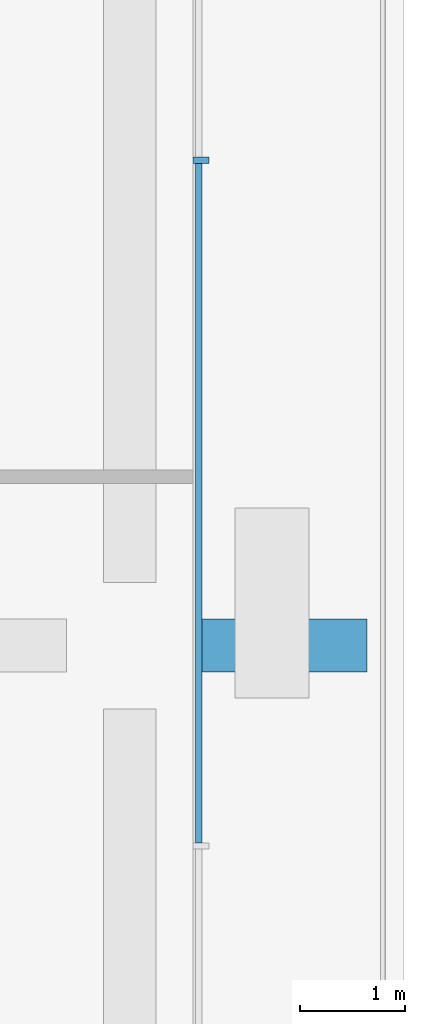
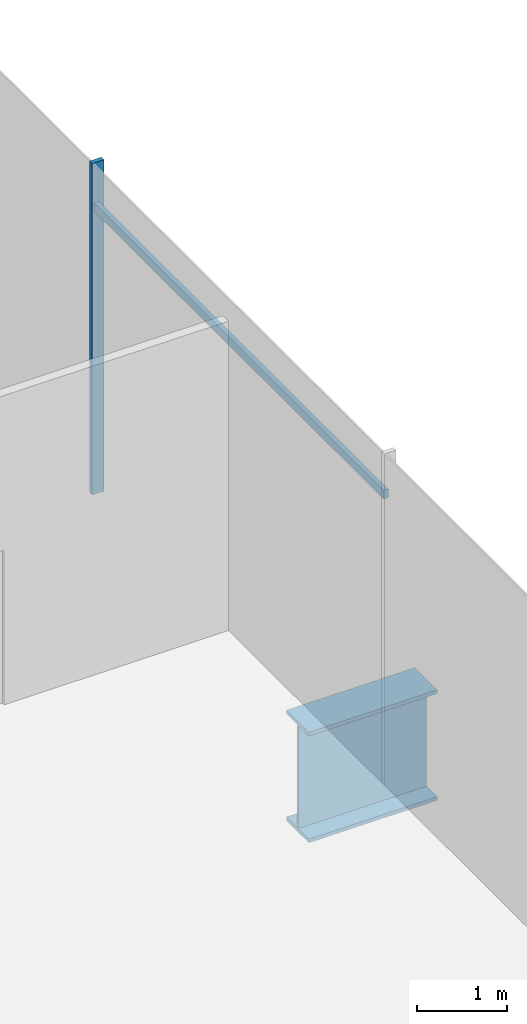
# One storey, part 25 of 56: 2 members, 1 beam, 1 element without a shape of its own.
"""IFC4 building model written with IfcOpenShell, lengths in metres."""

from ifc_helpers import new_model, si_unit, direction, frame, origin, origin_2d, place, context, subcontext, project, spatial, rectangle, i_section, extrude, material, material_profile, profile_set, type_object, element, aggregate, save


model = new_model("IFC4")

# Units and contexts
model_context = context("Model", 3, precision=1e-05, world=origin(), true_north=direction((0.0, 1.0)))
body_context = subcontext(model_context, "Body", "Model", "MODEL_VIEW")
ifc_project = project(units=[si_unit("LENGTHUNIT", "METRE"), si_unit("AREAUNIT", "SQUARE_METRE"), si_unit("VOLUMEUNIT", "CUBIC_METRE"), si_unit("PLANEANGLEUNIT", "RADIAN"), si_unit("MASSUNIT", "GRAM", prefix="KILO")], contexts=[model_context])

# Site, building, storey
site_placement = place(None, origin())
site = spatial("IfcSite", under=ifc_project, at=site_placement, CompositionType="ELEMENT")
building_placement = place(site_placement, origin())
building = spatial("IfcBuilding", under=site, at=building_placement, Name="Rimbun Link Towers", CompositionType="ELEMENT")
storey_placement = place(building_placement, frame((0.0, 0.0, 16.5)))
storey = spatial("IfcBuildingStorey", under=building, at=storey_placement, Name="L03", CompositionType="ELEMENT", Elevation=16.5)

# Curtain wall, members
ifc_material_1 = material(Name="Aluminium 6063-T6 and low-iron glass", Category="aluminium")
curtain_wall_type = type_object("IfcCurtainWallType", Name="CW3 podium shopfront", PredefinedType="NOTDEFINED", material=ifc_material_1)
curtain_wall_placement = place(storey_placement, origin())
curtain_wall = element("IfcCurtainWall", 1, at=curtain_wall_placement, inside=storey, type_object=curtain_wall_type, Name="CW3 L03 PD", PredefinedType="NOTDEFINED")
ifc_material_2 = material(Name="Aluminium 6063-T6", Category="aluminium")
ifc_material_profile_1 = material_profile(ifc_material_2, rectangle(XDim=0.14990234375, YDim=0.06005859375, at=origin_2d()), Name="MULLION 60X150")
ifc_profile_set_1 = profile_set([ifc_material_profile_1], Name="Aluminium 6063-T6")
member_type_1 = type_object("IfcMemberType", Name="CW3 mullion 60X150", PredefinedType="MULLION", material=ifc_profile_set_1)
member_1_placement = place(storey_placement, frame((60.074951171875, -8.0, 0.0), z_axis=(0.0, 0.0, 1.0), x_axis=(1.0, 0.0, 0.0)))
member_1 = element("IfcMember", 2, at=member_1_placement, type_object=member_type_1, Name="CW3 mullion", PredefinedType="MULLION", context=body_context, shape_type="SweptSolid", body=[
    extrude(rectangle(XDim=0.14990234375, YDim=0.06005859375, at=origin_2d()), origin(), (0.0, 0.0, 1.0), 4.5),
])
ifc_material_3 = material(Name="Aluminium 6063-T6", Category="aluminium")
ifc_material_profile_2 = material_profile(ifc_material_3, rectangle(XDim=0.06005859375, YDim=0.1201171875, at=origin_2d()), Name="TRANSOM 60X120")
ifc_profile_set_2 = profile_set([ifc_material_profile_2], Name="Aluminium 6063-T6")
member_type_2 = type_object("IfcMemberType", Name="CW3 transom 60X120", PredefinedType="USERDEFINED", material=ifc_profile_set_2)
member_2_placement = place(storey_placement, frame((60.053955078125, -8.030029296875, 3.89990234375), z_axis=(0.0, -1.0, 0.0), x_axis=(1.0, 0.0, 0.0)))
member_2 = element("IfcMember", 3, at=member_2_placement, type_object=member_type_2, Name="CW3 transom", ObjectType="TRANSOM", PredefinedType="USERDEFINED", context=body_context, shape_type="SweptSolid", body=[
    extrude(rectangle(XDim=0.06005859375, YDim=0.1201171875, at=origin_2d()), origin(), (0.0, 0.0, 1.0), 6.43994140625),
])
aggregate(curtain_wall, [member_1, member_2])

# Beam
ifc_material_4 = material(Name="Steel S355J2", Category="steel")
ifc_material_profile_3 = material_profile(ifc_material_4, i_section(OverallWidth=0.5, OverallDepth=1.5, WebThickness=0.030029296875, FlangeThickness=0.050048828125, at=origin_2d()), Name="PG 1500x500x30/50")
ifc_profile_set_3 = profile_set([ifc_material_profile_3], Name="Steel S355J2")
beam_type = type_object("IfcBeamType", Name="PG 1500x500x30/50", PredefinedType="BEAM", material=ifc_profile_set_3)
beam_placement = place(storey_placement, frame((60.0, -12.60009765625, -1.050048828125), z_axis=(1.0, 0.0, 0.0), x_axis=(0.0, 1.0, 0.0)))
element("IfcBeam", 4, at=beam_placement, inside=storey, type_object=beam_type, Name="Grid beam L03 -12.6", PredefinedType="BEAM", context=body_context, shape_type="SweptSolid", body=[
    extrude(i_section(OverallWidth=0.5, OverallDepth=1.5, WebThickness=0.030029296875, FlangeThickness=0.050048828125, at=origin_2d()), origin(), (0.0, 0.0, 1.0), 1.649169921875),
])

save(model, "model.ifc")
